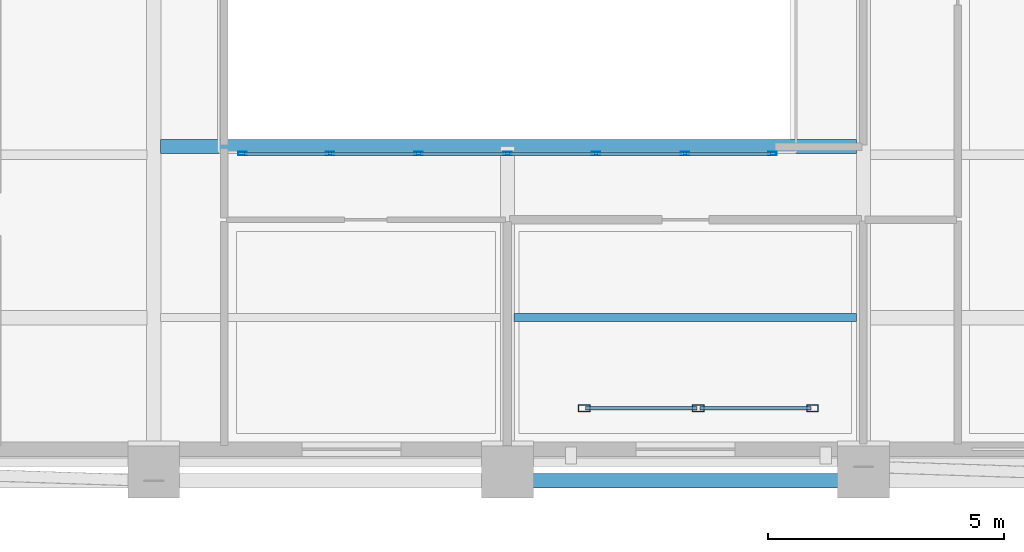
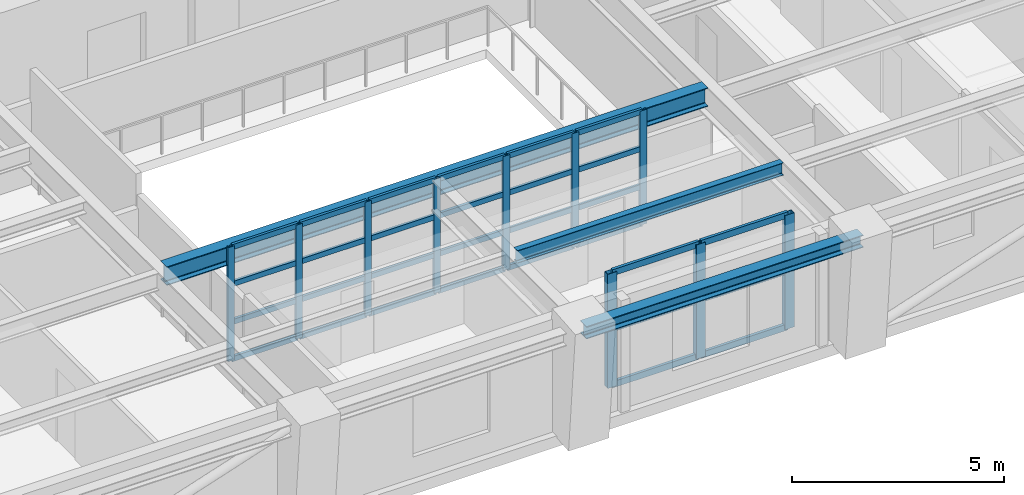
# One storey, part 2 of 13: 40 members, 3 beams, 2 elements without a shape of their own.
"""IFC4 building model written with IfcOpenShell, lengths in metres."""

from ifc_helpers import new_model, si_unit, direction, frame, origin, origin_2d, place, context, subcontext, project, spatial, hollow_rectangle, i_section, extrude, material, layer, layer_set, material_profile, profile_set, type_object, element, aggregate, save


model = new_model("IFC4")

# Units and contexts
model_context = context("Model", 3, precision=1e-05, world=origin(), true_north=direction((0.0, 1.0)))
body_context = subcontext(model_context, "Body", "Model", "MODEL_VIEW")
ifc_project = project(units=[si_unit("LENGTHUNIT", "METRE"), si_unit("AREAUNIT", "SQUARE_METRE"), si_unit("VOLUMEUNIT", "CUBIC_METRE"), si_unit("PLANEANGLEUNIT", "RADIAN"), si_unit("MASSUNIT", "GRAM", prefix="KILO")], contexts=[model_context])

# Site, building, storey
site_placement = place(None, origin())
site = spatial("IfcSite", under=ifc_project, at=site_placement, CompositionType="ELEMENT")
building_placement = place(site_placement, origin())
building = spatial("IfcBuilding", under=site, at=building_placement, Name="Zarnavel Station Tower", CompositionType="ELEMENT")
storey_placement = place(building_placement, frame((0.0, 0.0, 176.75)))
storey = spatial("IfcBuildingStorey", under=building, at=storey_placement, Name="L48", CompositionType="ELEMENT", Elevation=176.75)

# Curtain wall, members
ifc_material_1 = material(Name="Aluminium Dark Anodised and Solar-Control Glass", Category="aluminium")
ifc_layer_1 = layer(ifc_material_1, 0.179931640625)
ifc_layer_set_1 = layer_set([ifc_layer_1], Name="CWS4")
curtain_wall_type_1 = type_object("IfcCurtainWallType", Name="CWS4", PredefinedType="NOTDEFINED", material=ifc_layer_set_1)
curtain_wall_1_placement = place(storey_placement, origin())
curtain_wall_1 = element("IfcCurtainWall", 1, at=curtain_wall_1_placement, inside=storey, type_object=curtain_wall_type_1, Name="L48 Curtain Wall CWS4-L48-AS", PredefinedType="NOTDEFINED")
ifc_material_2 = material(Name="Steel S355J2 (Black Fluoropolymer Coated)", Category="steel")
ifc_material_profile_1 = material_profile(ifc_material_2, hollow_rectangle(XDim=0.080078125, YDim=0.179931640625, WallThickness=0.00634765625, at=origin_2d()), Name="RHS180x80x6.3")
ifc_profile_set_1 = profile_set([ifc_material_profile_1], Name="Steel S355J2 (Black Fluoropolymer Coated)")
member_type_1 = type_object("IfcMemberType", Name="CWS4_MUL", PredefinedType="MULLION", material=ifc_profile_set_1)
member_1_placement = place(storey_placement, frame((23.179931640625, 16.85009765625, 0.0), z_axis=(0.0, 0.0, 1.0), x_axis=(0.0, 1.0, 0.0)))
member_1 = element("IfcMember", 2, at=member_1_placement, type_object=member_type_1, Name="CW4 mullion 1", PredefinedType="MULLION", context=body_context, shape_type="SweptSolid", body=[
    extrude(hollow_rectangle(XDim=0.080078125, YDim=0.179931640625, WallThickness=0.00634765625, at=origin_2d()), origin(), (0.0, 0.0, 1.0), 3.2900390625),
])
member_2_placement = place(storey_placement, frame((25.033447265625, 16.85009765625, 0.0), z_axis=(0.0, 0.0, 1.0), x_axis=(0.0, 1.0, 0.0)))
member_2 = element("IfcMember", 3, at=member_2_placement, type_object=member_type_1, Name="CW4 mullion 2", PredefinedType="MULLION", context=body_context, shape_type="SweptSolid", body=[
    extrude(hollow_rectangle(XDim=0.080078125, YDim=0.179931640625, WallThickness=0.00634765625, at=origin_2d()), origin(), (0.0, 0.0, 1.0), 3.2900390625),
])
member_3_placement = place(storey_placement, frame((26.916748046875, 16.85009765625, 0.0), z_axis=(0.0, 0.0, 1.0), x_axis=(0.0, 1.0, 0.0)))
member_3 = element("IfcMember", 4, at=member_3_placement, type_object=member_type_1, Name="CW4 mullion 3", PredefinedType="MULLION", context=body_context, shape_type="SweptSolid", body=[
    extrude(hollow_rectangle(XDim=0.080078125, YDim=0.179931640625, WallThickness=0.00634765625, at=origin_2d()), origin(), (0.0, 0.0, 1.0), 3.2900390625),
])
member_4_placement = place(storey_placement, frame((28.800048828125, 16.85009765625, 0.0), z_axis=(0.0, 0.0, 1.0), x_axis=(0.0, 1.0, 0.0)))
member_4 = element("IfcMember", 5, at=member_4_placement, type_object=member_type_1, Name="CW4 mullion 4", PredefinedType="MULLION", context=body_context, shape_type="SweptSolid", body=[
    extrude(hollow_rectangle(XDim=0.080078125, YDim=0.179931640625, WallThickness=0.00634765625, at=origin_2d()), origin(), (0.0, 0.0, 1.0), 3.2900390625),
])
member_5_placement = place(storey_placement, frame((30.683349609375, 16.85009765625, 0.0), z_axis=(0.0, 0.0, 1.0), x_axis=(0.0, 1.0, 0.0)))
member_5 = element("IfcMember", 6, at=member_5_placement, type_object=member_type_1, Name="CW4 mullion 5", PredefinedType="MULLION", context=body_context, shape_type="SweptSolid", body=[
    extrude(hollow_rectangle(XDim=0.080078125, YDim=0.179931640625, WallThickness=0.00634765625, at=origin_2d()), origin(), (0.0, 0.0, 1.0), 3.2900390625),
])
member_6_placement = place(storey_placement, frame((32.566650390625, 16.85009765625, 0.0), z_axis=(0.0, 0.0, 1.0), x_axis=(0.0, 1.0, 0.0)))
member_6 = element("IfcMember", 7, at=member_6_placement, type_object=member_type_1, Name="CW4 mullion 6", PredefinedType="MULLION", context=body_context, shape_type="SweptSolid", body=[
    extrude(hollow_rectangle(XDim=0.080078125, YDim=0.179931640625, WallThickness=0.00634765625, at=origin_2d()), origin(), (0.0, 0.0, 1.0), 3.2900390625),
])
member_7_placement = place(storey_placement, frame((34.419921875, 16.85009765625, 0.0), z_axis=(0.0, 0.0, 1.0), x_axis=(0.0, 1.0, 0.0)))
member_7 = element("IfcMember", 8, at=member_7_placement, type_object=member_type_1, Name="CW4 mullion 7", PredefinedType="MULLION", context=body_context, shape_type="SweptSolid", body=[
    extrude(hollow_rectangle(XDim=0.080078125, YDim=0.179931640625, WallThickness=0.00634765625, at=origin_2d()), origin(), (0.0, 0.0, 1.0), 3.2900390625),
])
ifc_material_3 = material(Name="Steel S355J2 (Black Fluoropolymer Coated)", Category="steel")
ifc_material_profile_2 = material_profile(ifc_material_3, hollow_rectangle(XDim=0.074951171875, YDim=0.14990234375, WallThickness=0.00634765625, at=origin_2d()), Name="RHS150x75x6.3")
ifc_profile_set_2 = profile_set([ifc_material_profile_2], Name="Steel S355J2 (Black Fluoropolymer Coated)")
member_type_2 = type_object("IfcMemberType", Name="CWS4_TRN", PredefinedType="USERDEFINED", material=ifc_profile_set_2)
member_8_placement = place(storey_placement, frame((23.2099609375, 16.85009765625, 0.030029296875), z_axis=(1.0, 0.0, 0.0), x_axis=(0.0, 1.0, 0.0)))
member_8 = element("IfcMember", 9, at=member_8_placement, type_object=member_type_2, Name="CW4 transom 1.1", ObjectType="TRANSOM", PredefinedType="USERDEFINED", context=body_context, shape_type="SweptSolid", body=[
    extrude(hollow_rectangle(XDim=0.074951171875, YDim=0.14990234375, WallThickness=0.00634765625, at=origin_2d()), origin(), (0.0, 0.0, 1.0), 1.79345703125),
])
member_9_placement = place(storey_placement, frame((23.2099609375, 16.85009765625, 1.0966796875), z_axis=(1.0, 0.0, 0.0), x_axis=(0.0, 1.0, 0.0)))
member_9 = element("IfcMember", 10, at=member_9_placement, type_object=member_type_2, Name="CW4 transom 1.2", ObjectType="TRANSOM", PredefinedType="USERDEFINED", context=body_context, shape_type="SweptSolid", body=[
    extrude(hollow_rectangle(XDim=0.074951171875, YDim=0.14990234375, WallThickness=0.00634765625, at=origin_2d()), origin(), (0.0, 0.0, 1.0), 1.79345703125),
])
member_10_placement = place(storey_placement, frame((23.2099609375, 16.85009765625, 2.193359375), z_axis=(1.0, 0.0, 0.0), x_axis=(0.0, 1.0, 0.0)))
member_10 = element("IfcMember", 11, at=member_10_placement, type_object=member_type_2, Name="CW4 transom 1.3", ObjectType="TRANSOM", PredefinedType="USERDEFINED", context=body_context, shape_type="SweptSolid", body=[
    extrude(hollow_rectangle(XDim=0.074951171875, YDim=0.14990234375, WallThickness=0.00634765625, at=origin_2d()), origin(), (0.0, 0.0, 1.0), 1.79345703125),
])
member_11_placement = place(storey_placement, frame((23.2099609375, 16.85009765625, 3.260009765625), z_axis=(1.0, 0.0, 0.0), x_axis=(0.0, 1.0, 0.0)))
member_11 = element("IfcMember", 12, at=member_11_placement, type_object=member_type_2, Name="CW4 transom 1.4", ObjectType="TRANSOM", PredefinedType="USERDEFINED", context=body_context, shape_type="SweptSolid", body=[
    extrude(hollow_rectangle(XDim=0.074951171875, YDim=0.14990234375, WallThickness=0.00634765625, at=origin_2d()), origin(), (0.0, 0.0, 1.0), 1.79345703125),
])
member_12_placement = place(storey_placement, frame((25.063232421875, 16.85009765625, 0.030029296875), z_axis=(1.0, 0.0, 0.0), x_axis=(0.0, 1.0, 0.0)))
member_12 = element("IfcMember", 13, at=member_12_placement, type_object=member_type_2, Name="CW4 transom 2.1", ObjectType="TRANSOM", PredefinedType="USERDEFINED", context=body_context, shape_type="SweptSolid", body=[
    extrude(hollow_rectangle(XDim=0.074951171875, YDim=0.14990234375, WallThickness=0.00634765625, at=origin_2d()), origin(), (0.0, 0.0, 1.0), 1.823486328125),
])
member_13_placement = place(storey_placement, frame((25.063232421875, 16.85009765625, 1.0966796875), z_axis=(1.0, 0.0, 0.0), x_axis=(0.0, 1.0, 0.0)))
member_13 = element("IfcMember", 14, at=member_13_placement, type_object=member_type_2, Name="CW4 transom 2.2", ObjectType="TRANSOM", PredefinedType="USERDEFINED", context=body_context, shape_type="SweptSolid", body=[
    extrude(hollow_rectangle(XDim=0.074951171875, YDim=0.14990234375, WallThickness=0.00634765625, at=origin_2d()), origin(), (0.0, 0.0, 1.0), 1.823486328125),
])
member_14_placement = place(storey_placement, frame((25.063232421875, 16.85009765625, 2.193359375), z_axis=(1.0, 0.0, 0.0), x_axis=(0.0, 1.0, 0.0)))
member_14 = element("IfcMember", 15, at=member_14_placement, type_object=member_type_2, Name="CW4 transom 2.3", ObjectType="TRANSOM", PredefinedType="USERDEFINED", context=body_context, shape_type="SweptSolid", body=[
    extrude(hollow_rectangle(XDim=0.074951171875, YDim=0.14990234375, WallThickness=0.00634765625, at=origin_2d()), origin(), (0.0, 0.0, 1.0), 1.823486328125),
])
member_15_placement = place(storey_placement, frame((25.063232421875, 16.85009765625, 3.260009765625), z_axis=(1.0, 0.0, 0.0), x_axis=(0.0, 1.0, 0.0)))
member_15 = element("IfcMember", 16, at=member_15_placement, type_object=member_type_2, Name="CW4 transom 2.4", ObjectType="TRANSOM", PredefinedType="USERDEFINED", context=body_context, shape_type="SweptSolid", body=[
    extrude(hollow_rectangle(XDim=0.074951171875, YDim=0.14990234375, WallThickness=0.00634765625, at=origin_2d()), origin(), (0.0, 0.0, 1.0), 1.823486328125),
])
member_16_placement = place(storey_placement, frame((26.94677734375, 16.85009765625, 0.030029296875), z_axis=(1.0, 0.0, 0.0), x_axis=(0.0, 1.0, 0.0)))
member_16 = element("IfcMember", 17, at=member_16_placement, type_object=member_type_2, Name="CW4 transom 3.1", ObjectType="TRANSOM", PredefinedType="USERDEFINED", context=body_context, shape_type="SweptSolid", body=[
    extrude(hollow_rectangle(XDim=0.074951171875, YDim=0.14990234375, WallThickness=0.00634765625, at=origin_2d()), origin(), (0.0, 0.0, 1.0), 1.8232421875),
])
member_17_placement = place(storey_placement, frame((26.94677734375, 16.85009765625, 1.0966796875), z_axis=(1.0, 0.0, 0.0), x_axis=(0.0, 1.0, 0.0)))
member_17 = element("IfcMember", 18, at=member_17_placement, type_object=member_type_2, Name="CW4 transom 3.2", ObjectType="TRANSOM", PredefinedType="USERDEFINED", context=body_context, shape_type="SweptSolid", body=[
    extrude(hollow_rectangle(XDim=0.074951171875, YDim=0.14990234375, WallThickness=0.00634765625, at=origin_2d()), origin(), (0.0, 0.0, 1.0), 1.8232421875),
])
member_18_placement = place(storey_placement, frame((26.94677734375, 16.85009765625, 2.193359375), z_axis=(1.0, 0.0, 0.0), x_axis=(0.0, 1.0, 0.0)))
member_18 = element("IfcMember", 19, at=member_18_placement, type_object=member_type_2, Name="CW4 transom 3.3", ObjectType="TRANSOM", PredefinedType="USERDEFINED", context=body_context, shape_type="SweptSolid", body=[
    extrude(hollow_rectangle(XDim=0.074951171875, YDim=0.14990234375, WallThickness=0.00634765625, at=origin_2d()), origin(), (0.0, 0.0, 1.0), 1.8232421875),
])
member_19_placement = place(storey_placement, frame((26.94677734375, 16.85009765625, 3.260009765625), z_axis=(1.0, 0.0, 0.0), x_axis=(0.0, 1.0, 0.0)))
member_19 = element("IfcMember", 20, at=member_19_placement, type_object=member_type_2, Name="CW4 transom 3.4", ObjectType="TRANSOM", PredefinedType="USERDEFINED", context=body_context, shape_type="SweptSolid", body=[
    extrude(hollow_rectangle(XDim=0.074951171875, YDim=0.14990234375, WallThickness=0.00634765625, at=origin_2d()), origin(), (0.0, 0.0, 1.0), 1.8232421875),
])
member_20_placement = place(storey_placement, frame((28.830078125, 16.85009765625, 0.030029296875), z_axis=(1.0, 0.0, 0.0), x_axis=(0.0, 1.0, 0.0)))
member_20 = element("IfcMember", 21, at=member_20_placement, type_object=member_type_2, Name="CW4 transom 4.1", ObjectType="TRANSOM", PredefinedType="USERDEFINED", context=body_context, shape_type="SweptSolid", body=[
    extrude(hollow_rectangle(XDim=0.074951171875, YDim=0.14990234375, WallThickness=0.00634765625, at=origin_2d()), origin(), (0.0, 0.0, 1.0), 1.8232421875),
])
member_21_placement = place(storey_placement, frame((28.830078125, 16.85009765625, 1.0966796875), z_axis=(1.0, 0.0, 0.0), x_axis=(0.0, 1.0, 0.0)))
member_21 = element("IfcMember", 22, at=member_21_placement, type_object=member_type_2, Name="CW4 transom 4.2", ObjectType="TRANSOM", PredefinedType="USERDEFINED", context=body_context, shape_type="SweptSolid", body=[
    extrude(hollow_rectangle(XDim=0.074951171875, YDim=0.14990234375, WallThickness=0.00634765625, at=origin_2d()), origin(), (0.0, 0.0, 1.0), 1.8232421875),
])
member_22_placement = place(storey_placement, frame((28.830078125, 16.85009765625, 2.193359375), z_axis=(1.0, 0.0, 0.0), x_axis=(0.0, 1.0, 0.0)))
member_22 = element("IfcMember", 23, at=member_22_placement, type_object=member_type_2, Name="CW4 transom 4.3", ObjectType="TRANSOM", PredefinedType="USERDEFINED", context=body_context, shape_type="SweptSolid", body=[
    extrude(hollow_rectangle(XDim=0.074951171875, YDim=0.14990234375, WallThickness=0.00634765625, at=origin_2d()), origin(), (0.0, 0.0, 1.0), 1.8232421875),
])
member_23_placement = place(storey_placement, frame((28.830078125, 16.85009765625, 3.260009765625), z_axis=(1.0, 0.0, 0.0), x_axis=(0.0, 1.0, 0.0)))
member_23 = element("IfcMember", 24, at=member_23_placement, type_object=member_type_2, Name="CW4 transom 4.4", ObjectType="TRANSOM", PredefinedType="USERDEFINED", context=body_context, shape_type="SweptSolid", body=[
    extrude(hollow_rectangle(XDim=0.074951171875, YDim=0.14990234375, WallThickness=0.00634765625, at=origin_2d()), origin(), (0.0, 0.0, 1.0), 1.8232421875),
])
member_24_placement = place(storey_placement, frame((30.71337890625, 16.85009765625, 0.030029296875), z_axis=(1.0, 0.0, 0.0), x_axis=(0.0, 1.0, 0.0)))
member_24 = element("IfcMember", 25, at=member_24_placement, type_object=member_type_2, Name="CW4 transom 5.1", ObjectType="TRANSOM", PredefinedType="USERDEFINED", context=body_context, shape_type="SweptSolid", body=[
    extrude(hollow_rectangle(XDim=0.074951171875, YDim=0.14990234375, WallThickness=0.00634765625, at=origin_2d()), origin(), (0.0, 0.0, 1.0), 1.8232421875),
])
member_25_placement = place(storey_placement, frame((30.71337890625, 16.85009765625, 1.0966796875), z_axis=(1.0, 0.0, 0.0), x_axis=(0.0, 1.0, 0.0)))
member_25 = element("IfcMember", 26, at=member_25_placement, type_object=member_type_2, Name="CW4 transom 5.2", ObjectType="TRANSOM", PredefinedType="USERDEFINED", context=body_context, shape_type="SweptSolid", body=[
    extrude(hollow_rectangle(XDim=0.074951171875, YDim=0.14990234375, WallThickness=0.00634765625, at=origin_2d()), origin(), (0.0, 0.0, 1.0), 1.8232421875),
])
member_26_placement = place(storey_placement, frame((30.71337890625, 16.85009765625, 2.193359375), z_axis=(1.0, 0.0, 0.0), x_axis=(0.0, 1.0, 0.0)))
member_26 = element("IfcMember", 27, at=member_26_placement, type_object=member_type_2, Name="CW4 transom 5.3", ObjectType="TRANSOM", PredefinedType="USERDEFINED", context=body_context, shape_type="SweptSolid", body=[
    extrude(hollow_rectangle(XDim=0.074951171875, YDim=0.14990234375, WallThickness=0.00634765625, at=origin_2d()), origin(), (0.0, 0.0, 1.0), 1.8232421875),
])
member_27_placement = place(storey_placement, frame((30.71337890625, 16.85009765625, 3.260009765625), z_axis=(1.0, 0.0, 0.0), x_axis=(0.0, 1.0, 0.0)))
member_27 = element("IfcMember", 28, at=member_27_placement, type_object=member_type_2, Name="CW4 transom 5.4", ObjectType="TRANSOM", PredefinedType="USERDEFINED", context=body_context, shape_type="SweptSolid", body=[
    extrude(hollow_rectangle(XDim=0.074951171875, YDim=0.14990234375, WallThickness=0.00634765625, at=origin_2d()), origin(), (0.0, 0.0, 1.0), 1.8232421875),
])
member_28_placement = place(storey_placement, frame((32.5966796875, 16.85009765625, 0.030029296875), z_axis=(1.0, 0.0, 0.0), x_axis=(0.0, 1.0, 0.0)))
member_28 = element("IfcMember", 29, at=member_28_placement, type_object=member_type_2, Name="CW4 transom 6.1", ObjectType="TRANSOM", PredefinedType="USERDEFINED", context=body_context, shape_type="SweptSolid", body=[
    extrude(hollow_rectangle(XDim=0.074951171875, YDim=0.14990234375, WallThickness=0.00634765625, at=origin_2d()), origin(), (0.0, 0.0, 1.0), 1.793212890625),
])
member_29_placement = place(storey_placement, frame((32.5966796875, 16.85009765625, 1.0966796875), z_axis=(1.0, 0.0, 0.0), x_axis=(0.0, 1.0, 0.0)))
member_29 = element("IfcMember", 30, at=member_29_placement, type_object=member_type_2, Name="CW4 transom 6.2", ObjectType="TRANSOM", PredefinedType="USERDEFINED", context=body_context, shape_type="SweptSolid", body=[
    extrude(hollow_rectangle(XDim=0.074951171875, YDim=0.14990234375, WallThickness=0.00634765625, at=origin_2d()), origin(), (0.0, 0.0, 1.0), 1.793212890625),
])
member_30_placement = place(storey_placement, frame((32.5966796875, 16.85009765625, 2.193359375), z_axis=(1.0, 0.0, 0.0), x_axis=(0.0, 1.0, 0.0)))
member_30 = element("IfcMember", 31, at=member_30_placement, type_object=member_type_2, Name="CW4 transom 6.3", ObjectType="TRANSOM", PredefinedType="USERDEFINED", context=body_context, shape_type="SweptSolid", body=[
    extrude(hollow_rectangle(XDim=0.074951171875, YDim=0.14990234375, WallThickness=0.00634765625, at=origin_2d()), origin(), (0.0, 0.0, 1.0), 1.793212890625),
])
member_31_placement = place(storey_placement, frame((32.5966796875, 16.85009765625, 3.260009765625), z_axis=(1.0, 0.0, 0.0), x_axis=(0.0, 1.0, 0.0)))
member_31 = element("IfcMember", 32, at=member_31_placement, type_object=member_type_2, Name="CW4 transom 6.4", ObjectType="TRANSOM", PredefinedType="USERDEFINED", context=body_context, shape_type="SweptSolid", body=[
    extrude(hollow_rectangle(XDim=0.074951171875, YDim=0.14990234375, WallThickness=0.00634765625, at=origin_2d()), origin(), (0.0, 0.0, 1.0), 1.793212890625),
])
aggregate(curtain_wall_1, [member_1, member_2, member_3, member_4, member_5, member_6, member_7, member_8, member_9, member_10, member_11, member_12, member_13, member_14, member_15, member_16, member_17, member_18, member_19, member_20, member_21, member_22, member_23, member_24, member_25, member_26, member_27, member_28, member_29, member_30, member_31])

ifc_material_4 = material(Name="Aluminium Dark Anodised and Solar-Control Glass", Category="aluminium")
ifc_layer_2 = layer(ifc_material_4, 0.179931640625)
ifc_layer_set_2 = layer_set([ifc_layer_2], Name="CWS6")
curtain_wall_type_2 = type_object("IfcCurtainWallType", Name="CWS6", PredefinedType="NOTDEFINED", material=ifc_layer_set_2)
curtain_wall_2_placement = place(storey_placement, origin())
curtain_wall_2 = element("IfcCurtainWall", 33, at=curtain_wall_2_placement, inside=storey, type_object=curtain_wall_type_2, Name="L48 Curtain Wall CWS6-LOG-L48", PredefinedType="NOTDEFINED")
ifc_material_5 = material(Name="Steel S355J2 (Black Fluoropolymer Coated)", Category="steel")
ifc_material_profile_3 = material_profile(ifc_material_5, hollow_rectangle(XDim=0.14990234375, YDim=0.25, WallThickness=0.010009765625, at=origin_2d()), Name="RHS250x150x10")
ifc_profile_set_3 = profile_set([ifc_material_profile_3], Name="Steel S355J2 (Black Fluoropolymer Coated)")
member_type_3 = type_object("IfcMemberType", Name="CWS6_MUL", PredefinedType="MULLION", material=ifc_profile_set_3)
member_32_placement = place(storey_placement, frame((30.429931640625, 11.449951171875, 0.0), z_axis=(0.0, 0.0, 1.0), x_axis=(0.0, 1.0, 0.0)))
member_32 = element("IfcMember", 34, at=member_32_placement, type_object=member_type_3, Name="CW6 mullion 1", PredefinedType="MULLION", context=body_context, shape_type="SweptSolid", body=[
    extrude(hollow_rectangle(XDim=0.14990234375, YDim=0.25, WallThickness=0.010009765625, at=origin_2d()), origin(), (0.0, 0.0, 1.0), 3.2900390625),
])
member_33_placement = place(storey_placement, frame((32.85009765625, 11.449951171875, 0.0), z_axis=(0.0, 0.0, 1.0), x_axis=(0.0, 1.0, 0.0)))
member_33 = element("IfcMember", 35, at=member_33_placement, type_object=member_type_3, Name="CW6 mullion 2", PredefinedType="MULLION", context=body_context, shape_type="SweptSolid", body=[
    extrude(hollow_rectangle(XDim=0.14990234375, YDim=0.25, WallThickness=0.010009765625, at=origin_2d()), origin(), (0.0, 0.0, 1.0), 3.2900390625),
])
member_34_placement = place(storey_placement, frame((35.27001953125, 11.449951171875, 0.0), z_axis=(0.0, 0.0, 1.0), x_axis=(0.0, 1.0, 0.0)))
member_34 = element("IfcMember", 36, at=member_34_placement, type_object=member_type_3, Name="CW6 mullion 3", PredefinedType="MULLION", context=body_context, shape_type="SweptSolid", body=[
    extrude(hollow_rectangle(XDim=0.14990234375, YDim=0.25, WallThickness=0.010009765625, at=origin_2d()), origin(), (0.0, 0.0, 1.0), 3.2900390625),
])
ifc_material_6 = material(Name="Steel S355J2 (Black Fluoropolymer Coated)", Category="steel")
ifc_material_profile_4 = material_profile(ifc_material_6, hollow_rectangle(XDim=0.080078125, YDim=0.179931640625, WallThickness=0.00634765625, at=origin_2d()), Name="RHS180x80x6.3")
ifc_profile_set_4 = profile_set([ifc_material_profile_4], Name="Steel S355J2 (Black Fluoropolymer Coated)")
member_type_4 = type_object("IfcMemberType", Name="CWS6_TRN", PredefinedType="USERDEFINED", material=ifc_profile_set_4)
member_35_placement = place(storey_placement, frame((30.4599609375, 11.449951171875, 0.030029296875), z_axis=(1.0, 0.0, 0.0), x_axis=(0.0, 1.0, 0.0)))
member_35 = element("IfcMember", 37, at=member_35_placement, type_object=member_type_4, Name="CW6 transom 1.1", ObjectType="TRANSOM", PredefinedType="USERDEFINED", context=body_context, shape_type="SweptSolid", body=[
    extrude(hollow_rectangle(XDim=0.080078125, YDim=0.179931640625, WallThickness=0.00634765625, at=origin_2d()), origin(), (0.0, 0.0, 1.0), 2.360107421875),
])
member_36_placement = place(storey_placement, frame((30.4599609375, 11.449951171875, 1.64501953125), z_axis=(1.0, 0.0, 0.0), x_axis=(0.0, 1.0, 0.0)))
member_36 = element("IfcMember", 38, at=member_36_placement, type_object=member_type_4, Name="CW6 transom 1.2", ObjectType="TRANSOM", PredefinedType="USERDEFINED", context=body_context, shape_type="SweptSolid", body=[
    extrude(hollow_rectangle(XDim=0.080078125, YDim=0.179931640625, WallThickness=0.00634765625, at=origin_2d()), origin(), (0.0, 0.0, 1.0), 2.360107421875),
])
member_37_placement = place(storey_placement, frame((30.4599609375, 11.449951171875, 3.260009765625), z_axis=(1.0, 0.0, 0.0), x_axis=(0.0, 1.0, 0.0)))
member_37 = element("IfcMember", 39, at=member_37_placement, type_object=member_type_4, Name="CW6 transom 1.3", ObjectType="TRANSOM", PredefinedType="USERDEFINED", context=body_context, shape_type="SweptSolid", body=[
    extrude(hollow_rectangle(XDim=0.080078125, YDim=0.179931640625, WallThickness=0.00634765625, at=origin_2d()), origin(), (0.0, 0.0, 1.0), 2.360107421875),
])
member_38_placement = place(storey_placement, frame((32.8798828125, 11.449951171875, 0.030029296875), z_axis=(1.0, 0.0, 0.0), x_axis=(0.0, 1.0, 0.0)))
member_38 = element("IfcMember", 40, at=member_38_placement, type_object=member_type_4, Name="CW6 transom 2.1", ObjectType="TRANSOM", PredefinedType="USERDEFINED", context=body_context, shape_type="SweptSolid", body=[
    extrude(hollow_rectangle(XDim=0.080078125, YDim=0.179931640625, WallThickness=0.00634765625, at=origin_2d()), origin(), (0.0, 0.0, 1.0), 2.360107421875),
])
member_39_placement = place(storey_placement, frame((32.8798828125, 11.449951171875, 1.64501953125), z_axis=(1.0, 0.0, 0.0), x_axis=(0.0, 1.0, 0.0)))
member_39 = element("IfcMember", 41, at=member_39_placement, type_object=member_type_4, Name="CW6 transom 2.2", ObjectType="TRANSOM", PredefinedType="USERDEFINED", context=body_context, shape_type="SweptSolid", body=[
    extrude(hollow_rectangle(XDim=0.080078125, YDim=0.179931640625, WallThickness=0.00634765625, at=origin_2d()), origin(), (0.0, 0.0, 1.0), 2.360107421875),
])
member_40_placement = place(storey_placement, frame((32.8798828125, 11.449951171875, 3.260009765625), z_axis=(1.0, 0.0, 0.0), x_axis=(0.0, 1.0, 0.0)))
member_40 = element("IfcMember", 42, at=member_40_placement, type_object=member_type_4, Name="CW6 transom 2.3", ObjectType="TRANSOM", PredefinedType="USERDEFINED", context=body_context, shape_type="SweptSolid", body=[
    extrude(hollow_rectangle(XDim=0.080078125, YDim=0.179931640625, WallThickness=0.00634765625, at=origin_2d()), origin(), (0.0, 0.0, 1.0), 2.360107421875),
])
aggregate(curtain_wall_2, [member_32, member_33, member_34, member_35, member_36, member_37, member_38, member_39, member_40])

# Beams
ifc_material_7 = material(Name="Steel S355J2", Category="steel")
ifc_material_profile_5 = material_profile(ifc_material_7, i_section(OverallWidth=0.300048828125, OverallDepth=0.360107421875, WebThickness=0.012451171875, FlangeThickness=0.0224609375, FilletRadius=0.027099609375, at=origin_2d()), Name="HEB360")
ifc_profile_set_5 = profile_set([ifc_material_profile_5], Name="Steel S355J2")
beam_type_1 = type_object("IfcBeamType", Name="EB_HEB360", PredefinedType="SPANDREL", material=ifc_profile_set_5)
beam_1_placement = place(storey_placement, frame((28.800048828125, 9.912841796875, 3.110107421875), z_axis=(1.0, 0.0, 0.0), x_axis=(0.0, 1.0, 0.0)))
element("IfcBeam", 43, at=beam_1_placement, inside=storey, type_object=beam_type_1, Name="L48 South Raked Spandrel 3", PredefinedType="SPANDREL", context=body_context, shape_type="SweptSolid", body=[
    extrude(i_section(OverallWidth=0.300048828125, OverallDepth=0.360107421875, WebThickness=0.012451171875, FlangeThickness=0.0224609375, FilletRadius=0.027099609375, at=origin_2d()), origin(), (0.0, 0.0, 1.0), 7.550048828125),
])
ifc_material_8 = material(Name="Steel S355J2", Category="steel")
ifc_material_profile_6 = material_profile(ifc_material_8, i_section(OverallWidth=0.300048828125, OverallDepth=0.5400390625, WebThickness=0.012451171875, FlangeThickness=0.02392578125, FilletRadius=0.027099609375, at=origin_2d()), Name="HEA550")
ifc_profile_set_6 = profile_set([ifc_material_profile_6], Name="Steel S355J2")
beam_type_2 = type_object("IfcBeamType", Name="FB_HEA550", PredefinedType="BEAM", material=ifc_profile_set_6)
beam_2_placement = place(storey_placement, frame((21.445068359375, 17.0, 3.02001953125), z_axis=(1.0, 0.0, 0.0), x_axis=(0.0, 1.0, 0.0)))
element("IfcBeam", 44, at=beam_2_placement, inside=storey, type_object=beam_type_2, Name="L48 Atrium South Edge Girder", PredefinedType="BEAM", context=body_context, shape_type="SweptSolid", body=[
    extrude(i_section(OverallWidth=0.300048828125, OverallDepth=0.5400390625, WebThickness=0.012451171875, FlangeThickness=0.02392578125, FilletRadius=0.027099609375, at=origin_2d()), origin(), (0.0, 0.0, 1.0), 14.760009765625),
])
ifc_material_9 = material(Name="Steel S355J2", Category="steel")
ifc_material_profile_7 = material_profile(ifc_material_9, i_section(OverallWidth=0.169921875, OverallDepth=0.360107421875, WebThickness=0.008056640625, FlangeThickness=0.0126953125, FilletRadius=0.01806640625, at=origin_2d()), Name="IPE360")
ifc_profile_set_7 = profile_set([ifc_material_profile_7], Name="Steel S355J2")
beam_type_3 = type_object("IfcBeamType", Name="FJ_IPE360", PredefinedType="JOIST", material=ifc_profile_set_7)
beam_3_placement = place(storey_placement, frame((28.945068359375, 13.3701171875, 3.110107421875), z_axis=(1.0, 0.0, 0.0), x_axis=(0.0, 1.0, 0.0)))
element("IfcBeam", 45, at=beam_3_placement, inside=storey, type_object=beam_type_3, Name="L48 Mid-East Joist 1", PredefinedType="JOIST", context=body_context, shape_type="SweptSolid", body=[
    extrude(i_section(OverallWidth=0.169921875, OverallDepth=0.360107421875, WebThickness=0.008056640625, FlangeThickness=0.0126953125, FilletRadius=0.01806640625, at=origin_2d()), origin(), (0.0, 0.0, 1.0), 7.260009765625),
])

save(model, "model.ifc")
